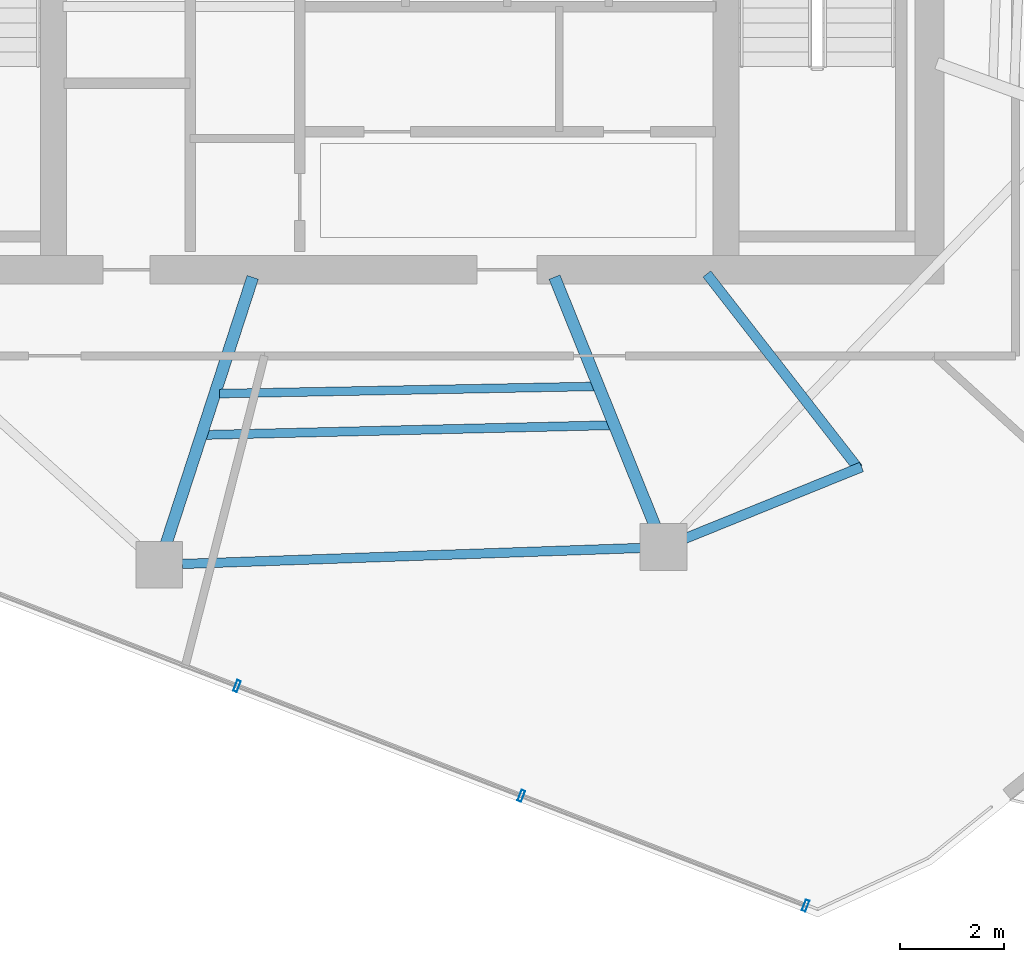
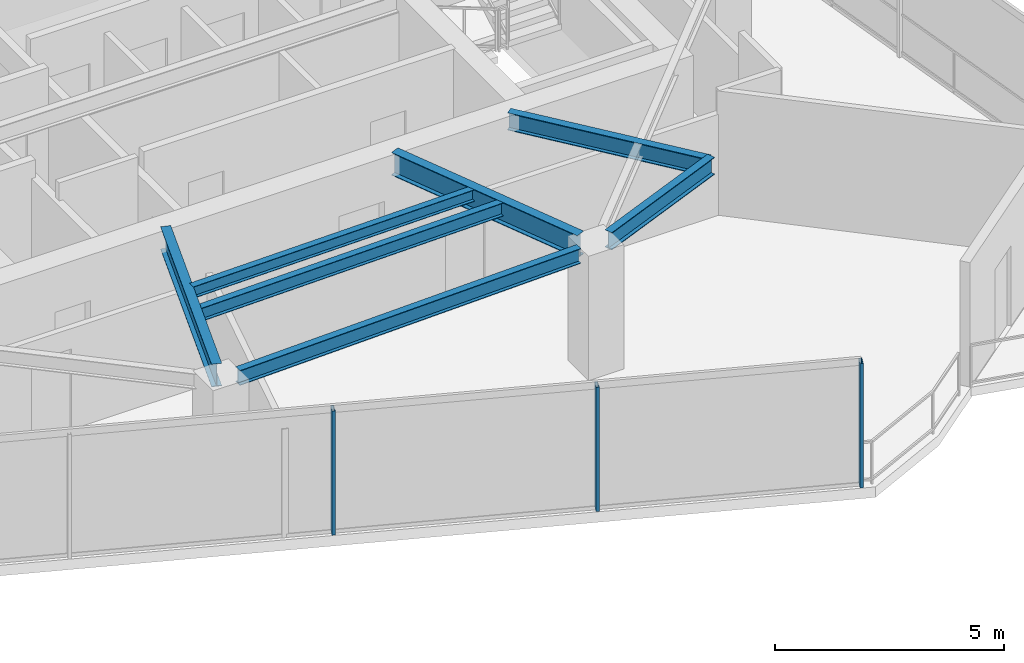
# One storey, part 4 of 19: 7 beams, 3 members, 1 element without a shape of its own.
"""IFC4 building model written with IfcOpenShell, lengths in metres."""

from ifc_helpers import new_model, si_unit, direction, frame, origin, origin_2d, place, context, subcontext, project, spatial, hollow_rectangle, i_section, extrude, material, layer, layer_set, material_profile, profile_set, type_object, element, aggregate, save


model = new_model("IFC4")

# Units and contexts
model_context = context("Model", 3, precision=1e-05, world=origin(), true_north=direction((0.0, 1.0)))
body_context = subcontext(model_context, "Body", "Model", "MODEL_VIEW")
ifc_project = project(units=[si_unit("LENGTHUNIT", "METRE"), si_unit("AREAUNIT", "SQUARE_METRE"), si_unit("VOLUMEUNIT", "CUBIC_METRE"), si_unit("PLANEANGLEUNIT", "RADIAN"), si_unit("MASSUNIT", "GRAM", prefix="KILO")], contexts=[model_context])

# Site, building, storey
site_placement = place(None, origin())
site = spatial("IfcSite", under=ifc_project, at=site_placement, CompositionType="ELEMENT")
building_placement = place(site_placement, origin())
building = spatial("IfcBuilding", under=site, at=building_placement, Name="Qarnah Convention Tower", CompositionType="ELEMENT")
storey_placement = place(building_placement, frame((0.0, 0.0, 213.0)))
storey = spatial("IfcBuildingStorey", under=building, at=storey_placement, Name="L57", CompositionType="ELEMENT", Elevation=213.0)

# Beams
ifc_material_1 = material(Name="Structural steel S355JR", Category="steel")
ifc_material_profile_1 = material_profile(ifc_material_1, i_section(OverallWidth=0.19189453125, OverallDepth=0.464111328125, WebThickness=0.010986328125, FlangeThickness=0.01806640625, at=origin_2d()), Name="W460X89")
ifc_profile_set_1 = profile_set([ifc_material_profile_1], Name="Structural steel S355JR")
beam_type_1 = type_object("IfcBeamType", Name="BM-CANT-W460A", PredefinedType="BEAM", material=ifc_profile_set_1)
beam_1_placement = place(storey_placement, frame((43.3310546875, 18.52099609375, 3.087890625), z_axis=(0.614241094698, -0.789118417973, 0.0), x_axis=(0.789118417973, 0.614241094698, 0.0)))
element("IfcBeam", 1, at=beam_1_placement, inside=storey, type_object=beam_type_1, Name="L57 beam BM-L57-CNT-03-1", PredefinedType="BEAM", context=body_context, shape_type="SweptSolid", body=[
    extrude(i_section(OverallWidth=0.19189453125, OverallDepth=0.464111328125, WebThickness=0.010986328125, FlangeThickness=0.01806640625, at=origin_2d()), origin(), (0.0, 0.0, 1.0), 4.724365234375),
])
beam_2_placement = place(storey_placement, frame((46.298095703125, 14.819091796875, 3.087890625), z_axis=(-0.926735498901, -0.375714406268, 0.0), x_axis=(0.375714406268, -0.926735498901, 0.0)))
element("IfcBeam", 2, at=beam_2_placement, inside=storey, type_object=beam_type_1, Name="L57 spandrel BM-L57-CTIE-03", PredefinedType="SPANDREL", context=body_context, shape_type="SweptSolid", body=[
    extrude(i_section(OverallWidth=0.19189453125, OverallDepth=0.464111328125, WebThickness=0.010986328125, FlangeThickness=0.01806640625, at=origin_2d()), origin(), (0.0, 0.0, 1.0), 3.656982421875),
])
ifc_material_profile_2 = material_profile(ifc_material_1, i_section(OverallWidth=0.166015625, OverallDepth=0.31201171875, WebThickness=0.007080078125, FlangeThickness=0.010986328125, at=origin_2d()), Name="W310X45")
ifc_profile_set_2 = profile_set([ifc_material_profile_2], Name="Structural steel S355JR")
beam_type_2 = type_object("IfcBeamType", Name="BM-JST-W310", PredefinedType="JOIST", material=ifc_profile_set_2)
beam_3_placement = place(storey_placement, frame((33.98291015625, 16.22607421875, 3.1640625), z_axis=(0.999815617166, 0.0192023871, 0.0), x_axis=(-0.0192023871, 0.999815617166, 0.0)))
element("IfcBeam", 3, at=beam_3_placement, inside=storey, type_object=beam_type_2, Name="L57 joist BM-L57-IJST-07", PredefinedType="JOIST", context=body_context, shape_type="SweptSolid", body=[
    extrude(i_section(OverallWidth=0.166015625, OverallDepth=0.31201171875, WebThickness=0.007080078125, FlangeThickness=0.010986328125, at=origin_2d()), origin(), (0.0, 0.0, 1.0), 7.183349609375),
])
ifc_material_profile_3 = material_profile(ifc_material_1, i_section(OverallWidth=0.172119140625, OverallDepth=0.35595703125, WebThickness=0.007080078125, FlangeThickness=0.011962890625, at=origin_2d()), Name="W360X51")
ifc_profile_set_3 = profile_set([ifc_material_profile_3], Name="Structural steel S355JR")
beam_type_3 = type_object("IfcBeamType", Name="BM-JST-W360", PredefinedType="JOIST", material=ifc_profile_set_3)
beam_4_placement = place(storey_placement, frame((33.72607421875, 15.43408203125, 3.14208984375), z_axis=(0.999714973703, 0.023874072844, 0.0), x_axis=(-0.023874072844, 0.999714973703, 0.0)))
element("IfcBeam", 4, at=beam_4_placement, inside=storey, type_object=beam_type_3, Name="L57 joist BM-L57-SJST-07", PredefinedType="JOIST", context=body_context, shape_type="SweptSolid", body=[
    extrude(i_section(OverallWidth=0.172119140625, OverallDepth=0.35595703125, WebThickness=0.007080078125, FlangeThickness=0.011962890625, at=origin_2d()), origin(), (0.0, 0.0, 1.0), 7.7412109375),
])
ifc_material_profile_4 = material_profile(ifc_material_1, i_section(OverallWidth=0.22802734375, OverallDepth=0.60791015625, WebThickness=0.010986328125, FlangeThickness=0.01708984375, at=origin_2d()), Name="W610X113")
ifc_profile_set_4 = profile_set([ifc_material_profile_4], Name="Structural steel S355JR")
beam_type_4 = type_object("IfcBeamType", Name="BM-RAD-W610B", PredefinedType="BEAM", material=ifc_profile_set_4)
beam_5_placement = place(storey_placement, frame((34.618896484375, 18.45703125, 3.01611328125), z_axis=(-0.309055218988, -0.951044095516, 0.0), x_axis=(0.951044095516, -0.309055218988, 0.0)))
element("IfcBeam", 5, at=beam_5_placement, inside=storey, type_object=beam_type_4, Name="L57 beam BM-L57-RAD-07", PredefinedType="BEAM", context=body_context, shape_type="SweptSolid", body=[
    extrude(i_section(OverallWidth=0.22802734375, OverallDepth=0.60791015625, WebThickness=0.010986328125, FlangeThickness=0.01708984375, at=origin_2d()), origin(), (0.0, 0.0, 1.0), 5.36767578125),
])
beam_6_placement = place(storey_placement, frame((40.407958984375, 18.4609375, 3.01611328125), z_axis=(0.374620360642, -0.927178292127, 0.0), x_axis=(0.927178292127, 0.374620360642, 0.0)))
element("IfcBeam", 6, at=beam_6_placement, inside=storey, type_object=beam_type_4, Name="L57 beam BM-L57-RAD-08", PredefinedType="BEAM", context=body_context, shape_type="SweptSolid", body=[
    extrude(i_section(OverallWidth=0.22802734375, OverallDepth=0.60791015625, WebThickness=0.010986328125, FlangeThickness=0.01708984375, at=origin_2d()), origin(), (0.0, 0.0, 1.0), 5.157470703125),
])
ifc_material_profile_5 = material_profile(ifc_material_1, i_section(OverallWidth=0.179931640625, OverallDepth=0.39990234375, WebThickness=0.009033203125, FlangeThickness=0.013916015625, at=origin_2d()), Name="IPE400")
ifc_profile_set_5 = profile_set([ifc_material_profile_5], Name="Structural steel S355JR")
beam_type_5 = type_object("IfcBeamType", Name="BM-SPN-IPE400", PredefinedType="SPANDREL", material=ifc_profile_set_5)
beam_7_placement = place(storey_placement, frame((33.26708984375, 12.9580078125, 3.1201171875), z_axis=(0.999391645542, 0.034876049374, 0.0), x_axis=(-0.034876049374, 0.999391645542, 0.0)))
element("IfcBeam", 7, at=beam_7_placement, inside=storey, type_object=beam_type_5, Name="L57 spandrel BM-L57-SPN-07", PredefinedType="SPANDREL", context=body_context, shape_type="SweptSolid", body=[
    extrude(i_section(OverallWidth=0.179931640625, OverallDepth=0.39990234375, WebThickness=0.009033203125, FlangeThickness=0.013916015625, at=origin_2d()), origin(), (0.0, 0.0, 1.0), 8.79931640625),
])

# Curtain wall, members
ifc_material_2 = material(Name="Tempered Low-E dark glass", Category="glass")
ifc_layer = layer(ifc_material_2, 0.174072265625)
ifc_layer_set = layer_set([ifc_layer], Name="Tempered Low-E dark glass")
curtain_wall_type = type_object("IfcCurtainWallType", Name="CWS-04", PredefinedType="NOTDEFINED", material=ifc_layer_set)
curtain_wall_placement = place(storey_placement, origin())
curtain_wall = element("IfcCurtainWall", 8, at=curtain_wall_placement, inside=storey, type_object=curtain_wall_type, Name="L57 unitised curtain wall CW-L57-F1", PredefinedType="NOTDEFINED")
ifc_material_3 = material(Name="Black anodised aluminium", Category="aluminium")
ifc_material_profile_6 = material_profile(ifc_material_3, hollow_rectangle(XDim=0.074951171875, YDim=0.219970703125, WallThickness=0.0048828125, at=origin_2d()), Name="MUL-75X220")
ifc_profile_set_6 = profile_set([ifc_material_profile_6], Name="Black anodised aluminium")
member_type = type_object("IfcMemberType", Name="MUL-T4", PredefinedType="MULLION", material=ifc_profile_set_6)
member_1_placement = place(storey_placement, frame((45.22509765625, 6.404052734375, 0.0), z_axis=(0.0, 0.0, 1.0), x_axis=(-0.932820872374, 0.360340422465, 0.0)))
member_1 = element("IfcMember", 9, at=member_1_placement, type_object=member_type, Name="CW-L57-F1 mullion 1", PredefinedType="MULLION", context=body_context, shape_type="SweptSolid", body=[
    extrude(hollow_rectangle(XDim=0.074951171875, YDim=0.219970703125, WallThickness=0.0048828125, at=origin_2d()), origin(), (0.0, 0.0, 1.0), 3.320068359375),
])
member_2_placement = place(storey_placement, frame((39.771484375, 8.510498046875, 0.0), z_axis=(0.0, 0.0, 1.0), x_axis=(-0.932820872374, 0.360340422465, 0.0)))
member_2 = element("IfcMember", 10, at=member_2_placement, type_object=member_type, Name="CW-L57-F1 mullion 2", PredefinedType="MULLION", context=body_context, shape_type="SweptSolid", body=[
    extrude(hollow_rectangle(XDim=0.074951171875, YDim=0.219970703125, WallThickness=0.0048828125, at=origin_2d()), origin(), (0.0, 0.0, 1.0), 3.320068359375),
])
member_3_placement = place(storey_placement, frame((34.318115234375, 10.6171875, 0.0), z_axis=(0.0, 0.0, 1.0), x_axis=(-0.932820872374, 0.360340422465, 0.0)))
member_3 = element("IfcMember", 11, at=member_3_placement, type_object=member_type, Name="CW-L57-F1 mullion 3", PredefinedType="MULLION", context=body_context, shape_type="SweptSolid", body=[
    extrude(hollow_rectangle(XDim=0.074951171875, YDim=0.219970703125, WallThickness=0.0048828125, at=origin_2d()), origin(), (0.0, 0.0, 1.0), 3.320068359375),
])
aggregate(curtain_wall, [member_1, member_2, member_3])

save(model, "model.ifc")
